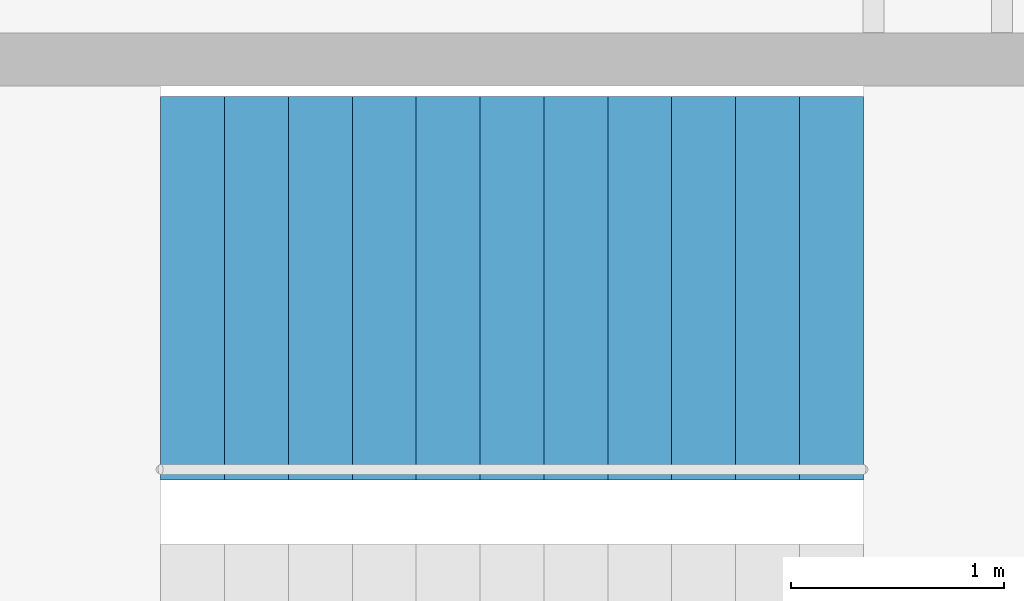
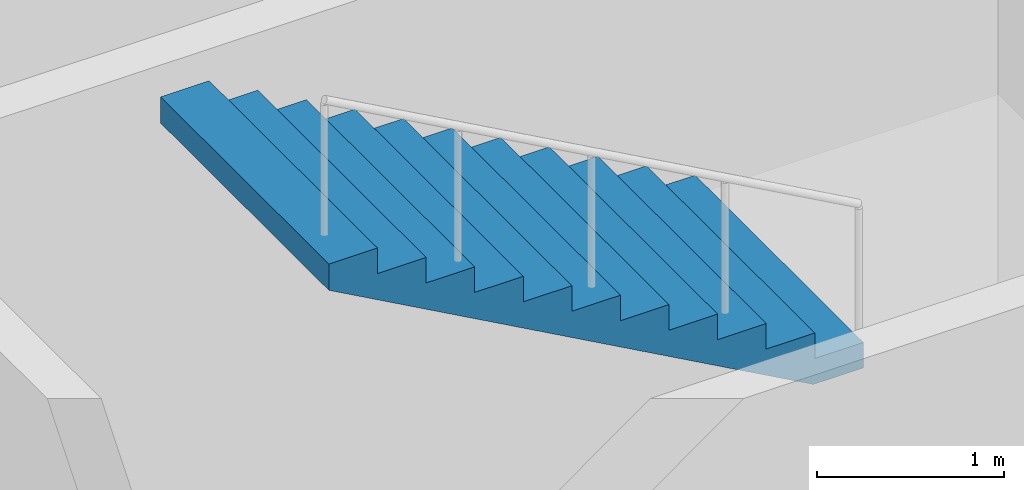
# One storey, part 6 of 8: 1 stair flight, 1 element without a shape of its own.
"""IFC4 building model written with IfcOpenShell, lengths in metres."""

from ifc_helpers import new_model, si_unit, direction, frame, origin, place, context, subcontext, project, spatial, polyline, outline, extrude, material, type_object, element, aggregate, save


model = new_model("IFC4")

# Units and contexts
model_context = context("Model", 3, precision=1e-05, world=origin(), true_north=direction((0.0, 1.0)))
body_context = subcontext(model_context, "Body", "Model", "MODEL_VIEW")
ifc_project = project(units=[si_unit("LENGTHUNIT", "METRE"), si_unit("AREAUNIT", "SQUARE_METRE"), si_unit("VOLUMEUNIT", "CUBIC_METRE"), si_unit("PLANEANGLEUNIT", "RADIAN"), si_unit("MASSUNIT", "GRAM", prefix="KILO")], contexts=[model_context])

# Site, building, storey
site_placement = place(None, origin())
site = spatial("IfcSite", under=ifc_project, at=site_placement, CompositionType="ELEMENT")
building_placement = place(site_placement, origin())
building = spatial("IfcBuilding", under=site, at=building_placement, Name="Cinnabar Reach Civic Tower", CompositionType="ELEMENT")
storey_placement = place(building_placement, frame((0.0, 0.0, 226.0)))
storey = spatial("IfcBuildingStorey", under=building, at=storey_placement, Name="L54", CompositionType="ELEMENT", Elevation=226.0)

# Stair, stair flight
ifc_material = material(Name="Concrete C40/50", Category="concrete")
stair_type = type_object("IfcStairType", Name="T1 Exit stair, half-turn", PredefinedType="HALF_TURN_STAIR", material=ifc_material)
stair_placement = place(storey_placement, origin())
stair = element("IfcStair", 1, at=stair_placement, inside=storey, type_object=stair_type, Name="Stair T1-S3", PredefinedType="HALF_TURN_STAIR")
stair_flight_type = type_object("IfcStairFlightType", Name="T1 Stair flight, concrete", PredefinedType="STRAIGHT", material=ifc_material)
stair_flight_placement = place(storey_placement, frame((35.35, 32.55, 2.0), z_axis=(0.0, 0.0, 1.0), x_axis=(-1.0, 0.0, 0.0)))
stair_flight = element("IfcStairFlight", 2, at=stair_flight_placement, type_object=stair_flight_type, Name="T1-S3 flight 2", NumberOfRisers=12, NumberOfTreads=11, PredefinedType="STRAIGHT", RiserHeight=0.166666667, TreadLength=0.3, context=body_context, shape_type="SweptSolid", body=[
    extrude(outline(polyline([(0.0, 0.0), (0.0, 0.1667), (0.3, 0.1667), (0.3, 0.3333), (0.6, 0.3333), (0.6, 0.5), (0.9, 0.5), (0.9, 0.6667), (1.2, 0.6667), (1.2, 0.8333), (1.5, 0.8333), (1.5, 1.0), (1.8, 1.0), (1.8, 1.1667), (2.1, 1.1667), (2.1, 1.3333), (2.4, 1.3333), (2.4, 1.5), (2.7, 1.5), (2.7, 1.6667), (3.0, 1.6667), (3.0, 1.8333), (3.3, 1.8333), (3.3, 2.0), (3.3, 1.6617), (0.3089, 0.0), (0.0, 0.0)])), frame((0.0, 0.9, 0.0), z_axis=(0.0, -1.0, 0.0), x_axis=(1.0, 0.0, 0.0)), (0.0, 0.0, 1.0), 1.8),
])
aggregate(stair, [stair_flight])

save(model, "model.ifc")
